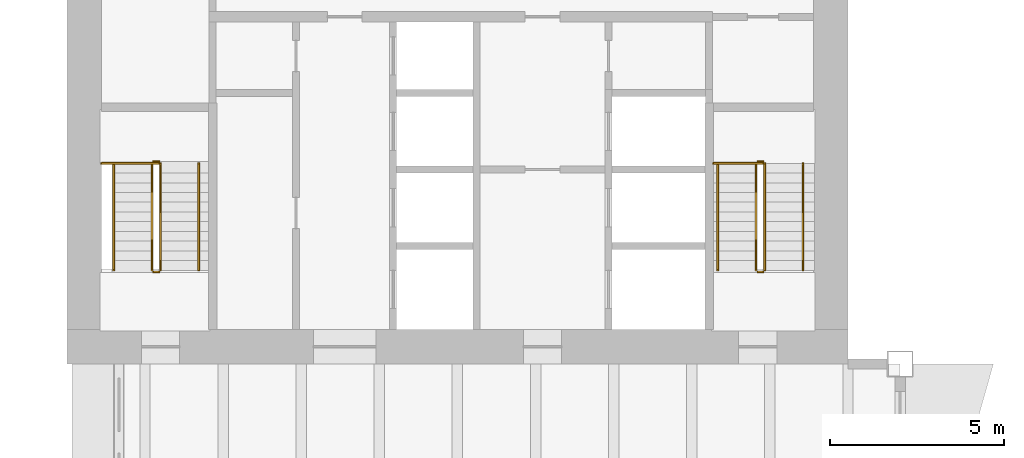
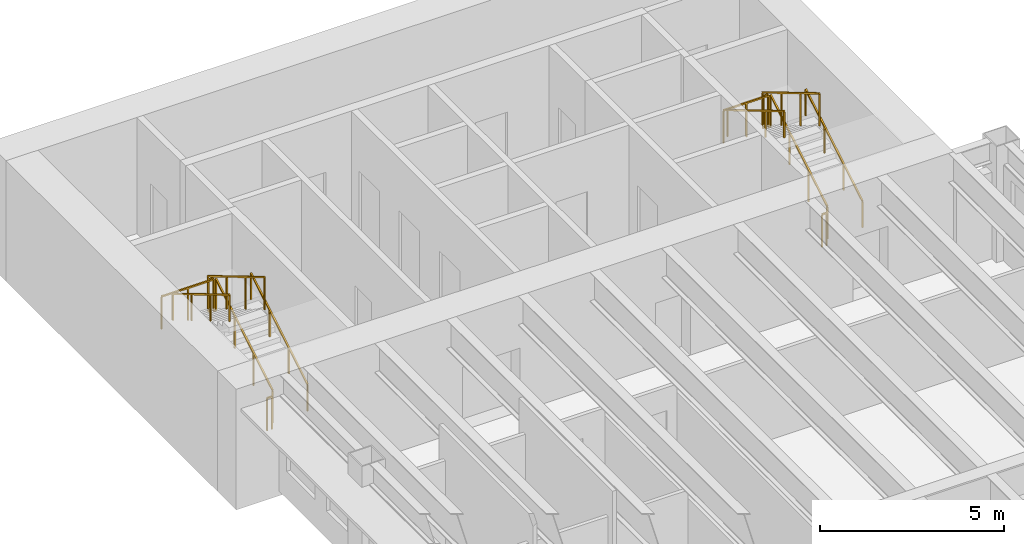
# One storey, part 16 of 16: 14 railings.
"""IFC4 building model written with IfcOpenShell, lengths in metres."""

from ifc_helpers import new_model, si_unit, direction, frame, origin, origin_2d, place, context, subcontext, project, spatial, rectangle, extrude, material, type_object, element, save


model = new_model("IFC4")

# Units and contexts
model_context = context("Model", 3, precision=1e-05, world=origin(), true_north=direction((0.0, 1.0)))
body_context = subcontext(model_context, "Body", "Model", "MODEL_VIEW")
ifc_project = project(units=[si_unit("LENGTHUNIT", "METRE"), si_unit("AREAUNIT", "SQUARE_METRE"), si_unit("VOLUMEUNIT", "CUBIC_METRE"), si_unit("PLANEANGLEUNIT", "RADIAN"), si_unit("MASSUNIT", "GRAM", prefix="KILO")], contexts=[model_context])

# Site, building, storey
site_placement = place(None, origin())
site = spatial("IfcSite", under=ifc_project, at=site_placement, CompositionType="ELEMENT")
building_placement = place(site_placement, origin())
building = spatial("IfcBuilding", under=site, at=building_placement, Name="Sennacour Bend Tower", CompositionType="ELEMENT")
storey_placement = place(building_placement, frame((0.0, 0.0, 235.0)))
storey = spatial("IfcBuildingStorey", under=building, at=storey_placement, Name="L54", CompositionType="ELEMENT", Elevation=235.0)

# Railings
ifc_material = material(Name="Stainless steel", Category="steel")
railing_type_1 = type_object("IfcRailingType", Name="RL-GUARD-1100", PredefinedType="GUARDRAIL", material=ifc_material)
railing_1_placement = place(storey_placement, frame((2.699951171875, 38.699951171875, 0.166748046875)))
element("IfcRailing", 1, at=railing_1_placement, inside=storey, type_object=railing_type_1, Name="L54 SB1 stair guard 1", PredefinedType="GUARDRAIL", context=body_context, shape_type="SweptSolid", body=[
    extrude(rectangle(XDim=0.048095703125, YDim=0.048095703125, at=origin_2d()), frame((0.0, 0.0, 1.076171875), z_axis=(0.0, 0.859308565015, 0.511457515432), x_axis=(-1.0, 0.0, 0.0)), (0.0, 0.0, 1.0), 3.58447265625),
    extrude(rectangle(XDim=0.0419921875, YDim=0.0419921875, at=origin_2d()), origin(), (0.0, 0.0, 1.0), 1.052001953125),
    extrude(rectangle(XDim=0.0419921875, YDim=0.0419921875, at=origin_2d()), frame((0.0, 1.026611328125, 0.611083984375)), (0.0, 0.0, 1.0), 1.052001953125),
    extrude(rectangle(XDim=0.0419921875, YDim=0.0419921875, at=origin_2d()), frame((0.0, 2.053466796875, 1.22216796875)), (0.0, 0.0, 1.0), 1.052001953125),
    extrude(rectangle(XDim=0.0419921875, YDim=0.0419921875, at=origin_2d()), frame((0.0, 3.080078125, 1.833251953125)), (0.0, 0.0, 1.0), 1.052001953125),
])
railing_2_placement = place(storey_placement, frame((2.64990234375, 41.830078125, 2.0)))
element("IfcRailing", 2, at=railing_2_placement, inside=storey, type_object=railing_type_1, Name="L54 SB1 stair guard 2", PredefinedType="GUARDRAIL", context=body_context, shape_type="SweptSolid", body=[
    extrude(rectangle(XDim=0.048095703125, YDim=0.048095703125, at=origin_2d()), frame((0.0, 0.0, 1.076171875), z_axis=(-1.0, 0.0, 0.0), x_axis=(0.0, -1.0, 0.0)), (0.0, 0.0, 1.0), 0.14990234375),
    extrude(rectangle(XDim=0.0419921875, YDim=0.0419921875, at=origin_2d()), origin(), (0.0, 0.0, 1.0), 1.052001953125),
    extrude(rectangle(XDim=0.0419921875, YDim=0.0419921875, at=origin_2d()), frame((-0.14990234375, 0.0, 0.0)), (0.0, 0.0, 1.0), 1.052001953125),
])
railing_3_placement = place(storey_placement, frame((2.449951171875, 41.780029296875, 2.166748046875)))
element("IfcRailing", 3, at=railing_3_placement, inside=storey, type_object=railing_type_1, Name="L54 SB1 stair guard 4", PredefinedType="GUARDRAIL", context=body_context, shape_type="SweptSolid", body=[
    extrude(rectangle(XDim=0.048095703125, YDim=0.048095703125, at=origin_2d()), frame((0.0, 0.0, 1.076171875), z_axis=(0.0, -0.859308565015, 0.511457515432), x_axis=(1.0, 0.0, 0.0)), (0.0, 0.0, 1.0), 3.58447265625),
    extrude(rectangle(XDim=0.0419921875, YDim=0.0419921875, at=origin_2d()), origin(), (0.0, 0.0, 1.0), 1.052001953125),
    extrude(rectangle(XDim=0.0419921875, YDim=0.0419921875, at=origin_2d()), frame((0.0, -1.026611328125, 0.611083984375)), (0.0, 0.0, 1.0), 1.052001953125),
    extrude(rectangle(XDim=0.0419921875, YDim=0.0419921875, at=origin_2d()), frame((0.0, -2.053466796875, 1.22216796875)), (0.0, 0.0, 1.0), 1.052001953125),
    extrude(rectangle(XDim=0.0419921875, YDim=0.0419921875, at=origin_2d()), frame((0.0, -3.080078125, 1.833251953125)), (0.0, 0.0, 1.0), 1.052001953125),
])
railing_4_placement = place(storey_placement, frame((2.64990234375, 38.64990234375, 0.0)))
element("IfcRailing", 4, at=railing_4_placement, inside=storey, type_object=railing_type_1, Name="L54 SB1 stair guard 5", PredefinedType="GUARDRAIL", context=body_context, shape_type="SweptSolid", body=[
    extrude(rectangle(XDim=0.048095703125, YDim=0.048095703125, at=origin_2d()), frame((0.0, 0.0, 1.076171875), z_axis=(-1.0, 0.0, 0.0), x_axis=(0.0, -1.0, 0.0)), (0.0, 0.0, 1.0), 0.14990234375),
    extrude(rectangle(XDim=0.0419921875, YDim=0.0419921875, at=origin_2d()), origin(), (0.0, 0.0, 1.0), 1.052001953125),
    extrude(rectangle(XDim=0.0419921875, YDim=0.0419921875, at=origin_2d()), frame((-0.14990234375, 0.0, 0.0)), (0.0, 0.0, 1.0), 1.052001953125),
])
railing_5_placement = place(storey_placement, frame((2.64990234375, 41.780029296875, 2.0)))
element("IfcRailing", 5, at=railing_5_placement, inside=storey, type_object=railing_type_1, Name="L54 SB1 landing edge guard 82", PredefinedType="GUARDRAIL", context=body_context, shape_type="SweptSolid", body=[
    extrude(rectangle(XDim=0.048095703125, YDim=0.048095703125, at=origin_2d()), frame((0.0, 0.0, 1.076171875), z_axis=(-1.0, 0.0, 0.0), x_axis=(0.0, -1.0, 0.0)), (0.0, 0.0, 1.0), 1.64990234375),
    extrude(rectangle(XDim=0.0419921875, YDim=0.0419921875, at=origin_2d()), origin(), (0.0, 0.0, 1.0), 1.052001953125),
    extrude(rectangle(XDim=0.0419921875, YDim=0.0419921875, at=origin_2d()), frame((-0.824951171875, 0.0, 0.0)), (0.0, 0.0, 1.0), 1.052001953125),
    extrude(rectangle(XDim=0.0419921875, YDim=0.0419921875, at=origin_2d()), frame((-1.64990234375, 0.0, 0.0)), (0.0, 0.0, 1.0), 1.052001953125),
])
railing_6_placement = place(storey_placement, frame((20.10009765625, 38.699951171875, 0.166748046875)))
element("IfcRailing", 6, at=railing_6_placement, inside=storey, type_object=railing_type_1, Name="L54 SB2 stair guard 1", PredefinedType="GUARDRAIL", context=body_context, shape_type="SweptSolid", body=[
    extrude(rectangle(XDim=0.048095703125, YDim=0.048095703125, at=origin_2d()), frame((0.0, 0.0, 1.076171875), z_axis=(0.0, 0.859308565015, 0.511457515432), x_axis=(-1.0, 0.0, 0.0)), (0.0, 0.0, 1.0), 3.58447265625),
    extrude(rectangle(XDim=0.0419921875, YDim=0.0419921875, at=origin_2d()), origin(), (0.0, 0.0, 1.0), 1.052001953125),
    extrude(rectangle(XDim=0.0419921875, YDim=0.0419921875, at=origin_2d()), frame((0.0, 1.026611328125, 0.611083984375)), (0.0, 0.0, 1.0), 1.052001953125),
    extrude(rectangle(XDim=0.0419921875, YDim=0.0419921875, at=origin_2d()), frame((0.0, 2.053466796875, 1.22216796875)), (0.0, 0.0, 1.0), 1.052001953125),
    extrude(rectangle(XDim=0.0419921875, YDim=0.0419921875, at=origin_2d()), frame((0.0, 3.080078125, 1.833251953125)), (0.0, 0.0, 1.0), 1.052001953125),
])
railing_7_placement = place(storey_placement, frame((20.050048828125, 41.830078125, 2.0)))
element("IfcRailing", 7, at=railing_7_placement, inside=storey, type_object=railing_type_1, Name="L54 SB2 stair guard 2", PredefinedType="GUARDRAIL", context=body_context, shape_type="SweptSolid", body=[
    extrude(rectangle(XDim=0.048095703125, YDim=0.048095703125, at=origin_2d()), frame((0.0, 0.0, 1.076171875), z_axis=(-1.0, 0.0, 0.0), x_axis=(0.0, -1.0, 0.0)), (0.0, 0.0, 1.0), 0.150146484375),
    extrude(rectangle(XDim=0.0419921875, YDim=0.0419921875, at=origin_2d()), origin(), (0.0, 0.0, 1.0), 1.052001953125),
    extrude(rectangle(XDim=0.0419921875, YDim=0.0419921875, at=origin_2d()), frame((-0.150146484375, 0.0, 0.0)), (0.0, 0.0, 1.0), 1.052001953125),
])
railing_8_placement = place(storey_placement, frame((19.85009765625, 41.780029296875, 2.166748046875)))
element("IfcRailing", 8, at=railing_8_placement, inside=storey, type_object=railing_type_1, Name="L54 SB2 stair guard 4", PredefinedType="GUARDRAIL", context=body_context, shape_type="SweptSolid", body=[
    extrude(rectangle(XDim=0.048095703125, YDim=0.048095703125, at=origin_2d()), frame((0.0, 0.0, 1.076171875), z_axis=(0.0, -0.859308565015, 0.511457515432), x_axis=(1.0, 0.0, 0.0)), (0.0, 0.0, 1.0), 3.58447265625),
    extrude(rectangle(XDim=0.0419921875, YDim=0.0419921875, at=origin_2d()), origin(), (0.0, 0.0, 1.0), 1.052001953125),
    extrude(rectangle(XDim=0.0419921875, YDim=0.0419921875, at=origin_2d()), frame((0.0, -1.026611328125, 0.611083984375)), (0.0, 0.0, 1.0), 1.052001953125),
    extrude(rectangle(XDim=0.0419921875, YDim=0.0419921875, at=origin_2d()), frame((0.0, -2.053466796875, 1.22216796875)), (0.0, 0.0, 1.0), 1.052001953125),
    extrude(rectangle(XDim=0.0419921875, YDim=0.0419921875, at=origin_2d()), frame((0.0, -3.080078125, 1.833251953125)), (0.0, 0.0, 1.0), 1.052001953125),
])
railing_9_placement = place(storey_placement, frame((20.050048828125, 38.64990234375, 0.0)))
element("IfcRailing", 9, at=railing_9_placement, inside=storey, type_object=railing_type_1, Name="L54 SB2 stair guard 5", PredefinedType="GUARDRAIL", context=body_context, shape_type="SweptSolid", body=[
    extrude(rectangle(XDim=0.048095703125, YDim=0.048095703125, at=origin_2d()), frame((0.0, 0.0, 1.076171875), z_axis=(-1.0, 0.0, 0.0), x_axis=(0.0, -1.0, 0.0)), (0.0, 0.0, 1.0), 0.150146484375),
    extrude(rectangle(XDim=0.0419921875, YDim=0.0419921875, at=origin_2d()), origin(), (0.0, 0.0, 1.0), 1.052001953125),
    extrude(rectangle(XDim=0.0419921875, YDim=0.0419921875, at=origin_2d()), frame((-0.150146484375, 0.0, 0.0)), (0.0, 0.0, 1.0), 1.052001953125),
])
railing_10_placement = place(storey_placement, frame((20.050048828125, 41.780029296875, 2.0)))
element("IfcRailing", 10, at=railing_10_placement, inside=storey, type_object=railing_type_1, Name="L54 SB2 landing edge guard 71", PredefinedType="GUARDRAIL", context=body_context, shape_type="SweptSolid", body=[
    extrude(rectangle(XDim=0.048095703125, YDim=0.048095703125, at=origin_2d()), frame((0.0, 0.0, 1.076171875), z_axis=(-1.0, 0.0, 0.0), x_axis=(0.0, -1.0, 0.0)), (0.0, 0.0, 1.0), 1.425048828125),
    extrude(rectangle(XDim=0.0419921875, YDim=0.0419921875, at=origin_2d()), origin(), (0.0, 0.0, 1.0), 1.052001953125),
    extrude(rectangle(XDim=0.0419921875, YDim=0.0419921875, at=origin_2d()), frame((-0.71240234375, 0.0, 0.0)), (0.0, 0.0, 1.0), 1.052001953125),
    extrude(rectangle(XDim=0.0419921875, YDim=0.0419921875, at=origin_2d()), frame((-1.425048828125, 0.0, 0.0)), (0.0, 0.0, 1.0), 1.052001953125),
])
railing_type_2 = type_object("IfcRailingType", Name="RL-HANDRAIL-900", PredefinedType="HANDRAIL", material=ifc_material)
railing_11_placement = place(storey_placement, frame((3.800048828125, 38.699951171875, 0.166748046875)))
element("IfcRailing", 11, at=railing_11_placement, inside=storey, type_object=railing_type_2, Name="L54 SB1 stair handrail 1", PredefinedType="HANDRAIL", context=body_context, shape_type="SweptSolid", body=[
    extrude(rectangle(XDim=0.048095703125, YDim=0.048095703125, at=origin_2d()), frame((0.0, 0.0, 0.8759765625), z_axis=(0.0, 0.859308565015, 0.511457515432), x_axis=(-1.0, 0.0, 0.0)), (0.0, 0.0, 1.0), 3.58447265625),
    extrude(rectangle(XDim=0.0419921875, YDim=0.0419921875, at=origin_2d()), origin(), (0.0, 0.0, 1.0), 0.851806640625),
    extrude(rectangle(XDim=0.0419921875, YDim=0.0419921875, at=origin_2d()), frame((0.0, 1.026611328125, 0.611083984375)), (0.0, 0.0, 1.0), 0.851806640625),
    extrude(rectangle(XDim=0.0419921875, YDim=0.0419921875, at=origin_2d()), frame((0.0, 2.053466796875, 1.22216796875)), (0.0, 0.0, 1.0), 0.851806640625),
    extrude(rectangle(XDim=0.0419921875, YDim=0.0419921875, at=origin_2d()), frame((0.0, 3.080078125, 1.833251953125)), (0.0, 0.0, 1.0), 0.851806640625),
])
railing_12_placement = place(storey_placement, frame((1.35009765625, 41.780029296875, 2.166748046875)))
element("IfcRailing", 12, at=railing_12_placement, inside=storey, type_object=railing_type_2, Name="L54 SB1 stair handrail 2", PredefinedType="HANDRAIL", context=body_context, shape_type="SweptSolid", body=[
    extrude(rectangle(XDim=0.048095703125, YDim=0.048095703125, at=origin_2d()), frame((0.0, 0.0, 0.8759765625), z_axis=(0.0, -0.859308565015, 0.511457515432), x_axis=(1.0, 0.0, 0.0)), (0.0, 0.0, 1.0), 3.58447265625),
    extrude(rectangle(XDim=0.0419921875, YDim=0.0419921875, at=origin_2d()), origin(), (0.0, 0.0, 1.0), 0.851806640625),
    extrude(rectangle(XDim=0.0419921875, YDim=0.0419921875, at=origin_2d()), frame((0.0, -1.026611328125, 0.611083984375)), (0.0, 0.0, 1.0), 0.851806640625),
    extrude(rectangle(XDim=0.0419921875, YDim=0.0419921875, at=origin_2d()), frame((0.0, -2.053466796875, 1.22216796875)), (0.0, 0.0, 1.0), 0.851806640625),
    extrude(rectangle(XDim=0.0419921875, YDim=0.0419921875, at=origin_2d()), frame((0.0, -3.080078125, 1.833251953125)), (0.0, 0.0, 1.0), 0.851806640625),
])
railing_13_placement = place(storey_placement, frame((21.199951171875, 38.699951171875, 0.166748046875)))
element("IfcRailing", 13, at=railing_13_placement, inside=storey, type_object=railing_type_2, Name="L54 SB2 stair handrail 1", PredefinedType="HANDRAIL", context=body_context, shape_type="SweptSolid", body=[
    extrude(rectangle(XDim=0.048095703125, YDim=0.048095703125, at=origin_2d()), frame((0.0, 0.0, 0.8759765625), z_axis=(0.0, 0.859308565015, 0.511457515432), x_axis=(-1.0, 0.0, 0.0)), (0.0, 0.0, 1.0), 3.58447265625),
    extrude(rectangle(XDim=0.0419921875, YDim=0.0419921875, at=origin_2d()), origin(), (0.0, 0.0, 1.0), 0.851806640625),
    extrude(rectangle(XDim=0.0419921875, YDim=0.0419921875, at=origin_2d()), frame((0.0, 1.026611328125, 0.611083984375)), (0.0, 0.0, 1.0), 0.851806640625),
    extrude(rectangle(XDim=0.0419921875, YDim=0.0419921875, at=origin_2d()), frame((0.0, 2.053466796875, 1.22216796875)), (0.0, 0.0, 1.0), 0.851806640625),
    extrude(rectangle(XDim=0.0419921875, YDim=0.0419921875, at=origin_2d()), frame((0.0, 3.080078125, 1.833251953125)), (0.0, 0.0, 1.0), 0.851806640625),
])
railing_14_placement = place(storey_placement, frame((18.75, 41.780029296875, 2.166748046875)))
element("IfcRailing", 14, at=railing_14_placement, inside=storey, type_object=railing_type_2, Name="L54 SB2 stair handrail 2", PredefinedType="HANDRAIL", context=body_context, shape_type="SweptSolid", body=[
    extrude(rectangle(XDim=0.048095703125, YDim=0.048095703125, at=origin_2d()), frame((0.0, 0.0, 0.8759765625), z_axis=(0.0, -0.859308565015, 0.511457515432), x_axis=(1.0, 0.0, 0.0)), (0.0, 0.0, 1.0), 3.58447265625),
    extrude(rectangle(XDim=0.0419921875, YDim=0.0419921875, at=origin_2d()), origin(), (0.0, 0.0, 1.0), 0.851806640625),
    extrude(rectangle(XDim=0.0419921875, YDim=0.0419921875, at=origin_2d()), frame((0.0, -1.026611328125, 0.611083984375)), (0.0, 0.0, 1.0), 0.851806640625),
    extrude(rectangle(XDim=0.0419921875, YDim=0.0419921875, at=origin_2d()), frame((0.0, -2.053466796875, 1.22216796875)), (0.0, 0.0, 1.0), 0.851806640625),
    extrude(rectangle(XDim=0.0419921875, YDim=0.0419921875, at=origin_2d()), frame((0.0, -3.080078125, 1.833251953125)), (0.0, 0.0, 1.0), 0.851806640625),
])

save(model, "model.ifc")
